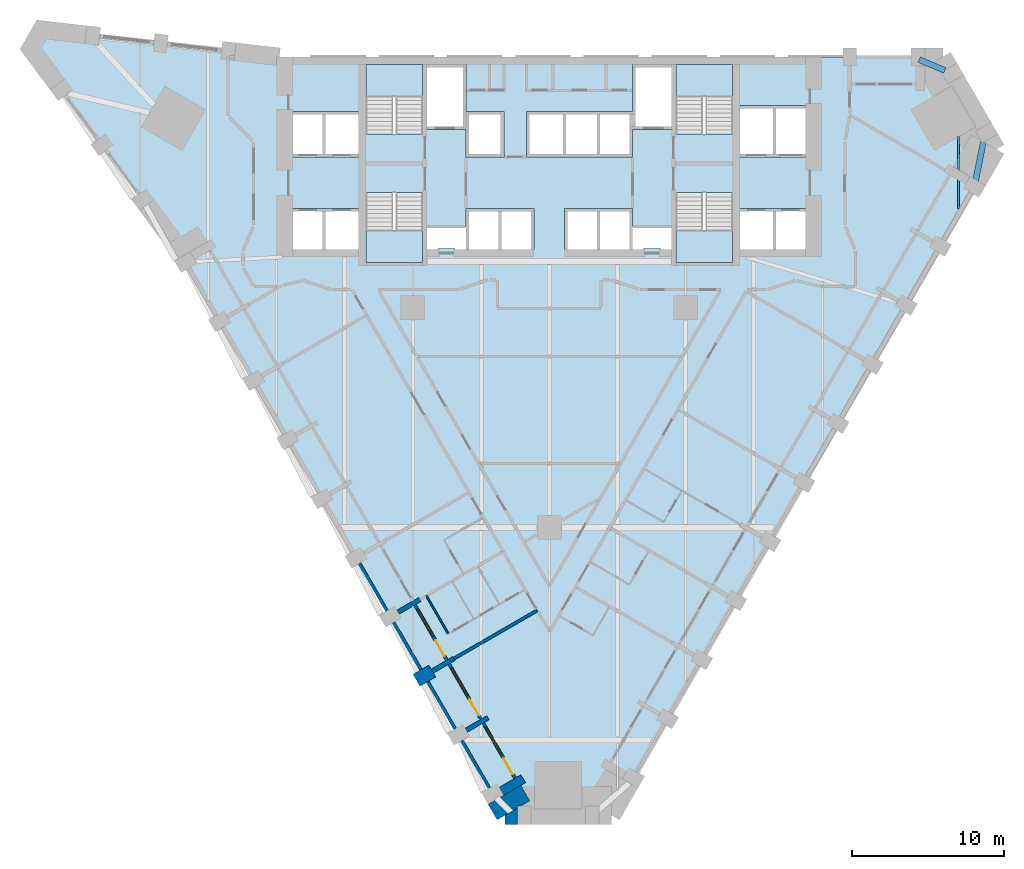
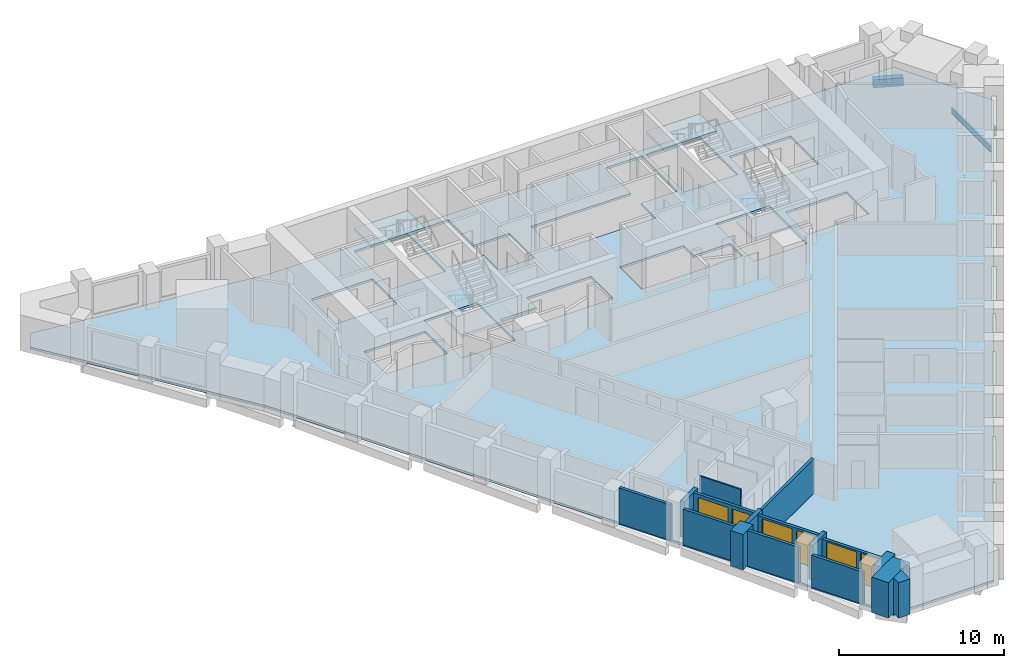
# One storey, part 2 of 10: 16 walls, 5 slabs, 3 beams, 3 doors, 3 windows, 6 openings, 4 elements without a shape of their own.
"""IFC4 building model written with IfcOpenShell, lengths in metres."""

from ifc_helpers import new_model, si_unit, direction, frame, frame_2d, origin, origin_2d, place, context, subcontext, project, spatial, polyline, rectangle, i_section, outline, extrude, material, layer, layer_set, material_profile, profile_set, type_object, element, fill, aggregate, save


model = new_model("IFC4")

# Units and contexts
model_context = context("Model", 3, precision=1e-05, world=origin(), true_north=direction((0.0, 1.0)))
body_context = subcontext(model_context, "Body", "Model", "MODEL_VIEW")
ifc_project = project(units=[si_unit("LENGTHUNIT", "METRE"), si_unit("AREAUNIT", "SQUARE_METRE"), si_unit("VOLUMEUNIT", "CUBIC_METRE"), si_unit("PLANEANGLEUNIT", "RADIAN"), si_unit("MASSUNIT", "GRAM", prefix="KILO")], contexts=[model_context])

# Site, building, storey
site_placement = place(None, origin())
site = spatial("IfcSite", under=ifc_project, at=site_placement, CompositionType="ELEMENT")
building_placement = place(site_placement, origin())
building = spatial("IfcBuilding", under=site, at=building_placement, Name="Calabash Gate Tower", CompositionType="ELEMENT")
storey_placement = place(building_placement, frame((0.0, 0.0, 69.800048828125)))
storey = spatial("IfcBuildingStorey", under=building, at=storey_placement, Name="L13", CompositionType="ELEMENT", Elevation=69.800048828125)

# Beams
ifc_material_1 = material(Name="Concrete C60/75", Category="concrete")
ifc_material_profile_1 = material_profile(ifc_material_1, rectangle(XDim=0.39990234375, YDim=0.60009765625, at=origin_2d()))
ifc_profile_set_1 = profile_set([ifc_material_profile_1], Name="Concrete C60/75")
beam_type_1 = type_object("IfcBeamType", Name="Edge beam RC 400x600 Concrete C60/75", PredefinedType="BEAM", material=ifc_profile_set_1)
beam_1_placement = place(storey_placement, frame((28.072021484375, 10.618896484375, -0.469970703125), z_axis=(0.197276022222, 0.980347984675, 0.0), x_axis=(-0.980347984675, 0.197276022222, 0.0)))
element("IfcBeam", 1, at=beam_1_placement, inside=storey, type_object=beam_type_1, Name="Edge beam L13 12", PredefinedType="BEAM", context=body_context, shape_type="SweptSolid", body=[
    extrude(rectangle(XDim=0.39990234375, YDim=0.60009765625, at=origin_2d()), origin(), (0.0, 0.0, 1.0), 2.87353515625),
])
beam_2_placement = place(storey_placement, frame((26.10205078125, 18.157958984375, -0.469970703125), z_axis=(-0.921349387406, 0.388735522337, 0.0), x_axis=(-0.388735522337, -0.921349387406, 0.0)))
element("IfcBeam", 2, at=beam_2_placement, inside=storey, type_object=beam_type_1, Name="Edge beam L13 13", PredefinedType="BEAM", context=body_context, shape_type="SweptSolid", body=[
    extrude(rectangle(XDim=0.39990234375, YDim=0.60009765625, at=origin_2d()), origin(), (0.0, 0.0, 1.0), 1.849609375),
])
ifc_material_2 = material(Name="Steel ASTM A992 Gr50", Category="steel")
ifc_material_profile_2 = material_profile(ifc_material_2, i_section(OverallWidth=0.1396484375, OverallDepth=0.398681640625, WebThickness=0.00634765625, FlangeThickness=0.0087890625, FilletRadius=0.01025390625, at=origin_2d()))
ifc_profile_set_2 = profile_set([ifc_material_profile_2], Name="Steel ASTM A992 Gr50")
beam_type_2 = type_object("IfcBeamType", Name="Floor beam W16x26 ASTM A992 Gr50", PredefinedType="BEAM", material=ifc_profile_set_2)
beam_3_placement = place(storey_placement, frame((27.0, 9.048095703125, -0.369140625), z_axis=(0.0, 1.0, 0.0), x_axis=(-1.0, 0.0, 0.0)))
element("IfcBeam", 3, at=beam_3_placement, inside=storey, type_object=beam_type_2, Name="Floor beam L13 23", PredefinedType="BEAM", context=body_context, shape_type="SweptSolid", body=[
    extrude(i_section(OverallWidth=0.1396484375, OverallDepth=0.398681640625, WebThickness=0.00634765625, FlangeThickness=0.0087890625, FilletRadius=0.01025390625, at=origin_2d()), origin(), (0.0, 0.0, 1.0), 4.744873046875),
])

# Slab
ifc_material_3 = material(Name="Concrete C40/50", Category="concrete")
ifc_layer_1 = layer(ifc_material_3, 0.169921875)
ifc_layer_set_1 = layer_set([ifc_layer_1], Name="Composite floor slab 170 Concrete C40/50")
slab_type_1 = type_object("IfcSlabType", Name="Composite floor slab 170 Concrete C40/50", PredefinedType="FLOOR", material=ifc_layer_set_1)
slab_1_placement = place(storey_placement, frame((0.0, 0.0, -0.170166015625)))
element("IfcSlab", 4, at=slab_1_placement, inside=storey, type_object=slab_type_1, Name="Floor slab L13", PredefinedType="FLOOR", context=body_context, shape_type="SweptSolid", body=[
    extrude(outline(polyline([(-24.806640625, 6.92822265625), (-34.19921875, 19.606201171875), (-33.482421875, 20.84765625), (-17.806640625, 19.052490234375), (25.96240234375, 19.052490234375), (29.481201171875, 12.957763671875), (4.115478515625, -30.97705078125), (-2.922119140625, -30.97705078125), (-24.806640625, 6.92822265625)]), holes=[polyline([(-5.5, 9.052490234375), (-5.5, 7.8525390625), (-8.050048828125, 7.8525390625), (-8.050048828125, 6.3525390625), (-7.324951171875, 6.3525390625), (-7.324951171875, 6.402587890625), (-6.22509765625, 6.402587890625), (-6.22509765625, 6.3525390625), (-5.5, 6.3525390625), (-3.25, 6.3525390625), (-1.0, 6.3525390625), (-1.0, 9.052490234375), (-3.25, 9.052490234375), (-5.5, 9.052490234375)]), polyline([(5.5, 9.052490234375), (3.25, 9.052490234375), (1.0, 9.052490234375), (1.0, 6.3525390625), (3.25, 6.3525390625), (5.5, 6.3525390625), (6.22509765625, 6.3525390625), (6.22509765625, 6.402587890625), (7.324951171875, 6.402587890625), (7.324951171875, 6.3525390625), (8.050048828125, 6.3525390625), (8.050048828125, 7.8525390625), (5.5, 7.8525390625), (5.5, 9.052490234375)]), polyline([(-5.5, 14.252685546875), (-5.5, 12.45263671875), (-3.0, 12.45263671875), (-3.0, 15.45263671875), (-5.5, 15.45263671875), (-5.5, 18.552490234375), (-8.050048828125, 18.552490234375), (-8.050048828125, 14.252685546875), (-5.5, 14.252685546875)]), polyline([(8.050048828125, 18.552490234375), (5.5, 18.552490234375), (5.5, 15.45263671875), (3.25, 15.45263671875), (1.0, 15.45263671875), (-1.5, 15.45263671875), (-1.5, 12.45263671875), (1.0, 12.45263671875), (3.25, 12.45263671875), (5.5, 12.45263671875), (5.5, 14.252685546875), (8.050048828125, 14.252685546875), (8.050048828125, 18.552490234375)]), polyline([(-12.60009765625, 6.3525390625), (-12.60009765625, 9.052490234375), (-14.85009765625, 9.052490234375), (-16.89990234375, 9.052490234375), (-16.89990234375, 6.3525390625), (-14.85009765625, 6.3525390625), (-12.60009765625, 6.3525390625)]), polyline([(-14.85009765625, 12.45263671875), (-12.60009765625, 12.45263671875), (-12.60009765625, 15.45263671875), (-14.85009765625, 15.45263671875), (-16.89990234375, 15.45263671875), (-16.89990234375, 12.45263671875), (-14.85009765625, 12.45263671875)]), polyline([(14.85009765625, 6.3525390625), (16.89990234375, 6.3525390625), (16.89990234375, 9.052490234375), (14.85009765625, 9.052490234375), (12.60009765625, 9.052490234375), (12.60009765625, 6.3525390625), (14.85009765625, 6.3525390625)]), polyline([(14.85009765625, 12.45263671875), (16.89990234375, 12.45263671875), (16.89990234375, 15.8525390625), (14.85009765625, 15.8525390625), (12.60009765625, 15.8525390625), (12.60009765625, 12.45263671875), (14.85009765625, 12.45263671875)]), polyline([(-8.35009765625, 18.552490234375), (-12.10009765625, 18.552490234375), (-12.10009765625, 13.95263671875), (-8.35009765625, 13.95263671875), (-8.35009765625, 18.552490234375)]), polyline([(-12.10009765625, 10.1025390625), (-12.10009765625, 5.502685546875), (-8.35009765625, 5.502685546875), (-8.35009765625, 10.1025390625), (-12.10009765625, 10.1025390625)]), polyline([(8.35009765625, 13.95263671875), (12.10009765625, 13.95263671875), (12.10009765625, 18.552490234375), (8.35009765625, 18.552490234375), (8.35009765625, 13.95263671875)]), polyline([(12.10009765625, 5.502685546875), (12.10009765625, 10.1025390625), (8.35009765625, 10.1025390625), (8.35009765625, 5.502685546875), (12.10009765625, 5.502685546875)])]), origin(), (0.0, 0.0, 1.0), 0.170166015625),
])

# Stair, slab
ifc_material_4 = material(Name="Concrete C40/50", Category="concrete")
stair_type = type_object("IfcStairType", Name="Exit stair 20 risers of 170 mm", PredefinedType="HALF_TURN_STAIR", material=ifc_material_4)
stair_1_placement = place(storey_placement, origin())
stair_1 = element("IfcStair", 5, at=stair_1_placement, inside=storey, type_object=stair_type, Name="L13 Exit stair ST1", PredefinedType="HALF_TURN_STAIR")
ifc_material_5 = material(Name="Concrete C40/50", Category="concrete")
ifc_layer_2 = layer(ifc_material_5, 0.199951171875)
ifc_layer_set_2 = layer_set([ifc_layer_2], Name="Stair landing SL200")
slab_type_2 = type_object("IfcSlabType", Name="Stair landing SL200", PredefinedType="LANDING", material=ifc_layer_set_2)
slab_2_placement = place(storey_placement, frame((0.0, 0.0, 1.5)))
slab_2 = element("IfcSlab", 6, at=slab_2_placement, type_object=slab_type_2, Name="ST1 landing 1", PredefinedType="LANDING", context=body_context, shape_type="SweptSolid", body=[
    extrude(outline(polyline([(-8.35009765625, 16.463623046875), (-8.35009765625, 18.552490234375), (-12.10009765625, 18.552490234375), (-12.10009765625, 16.463623046875), (-8.35009765625, 16.463623046875)])), origin(), (0.0, 0.0, 1.0), 0.199951171875),
])
aggregate(stair_1, [slab_2])

stair_2_placement = place(storey_placement, origin())
stair_2 = element("IfcStair", 7, at=stair_2_placement, inside=storey, type_object=stair_type, Name="L13 Exit stair ST2", PredefinedType="HALF_TURN_STAIR")
slab_3_placement = place(storey_placement, frame((0.0, 0.0, 1.5)))
slab_3 = element("IfcSlab", 8, at=slab_3_placement, type_object=slab_type_2, Name="ST2 landing 1", PredefinedType="LANDING", context=body_context, shape_type="SweptSolid", body=[
    extrude(outline(polyline([(-12.10009765625, 7.591552734375), (-12.10009765625, 5.502685546875), (-8.35009765625, 5.502685546875), (-8.35009765625, 7.591552734375), (-12.10009765625, 7.591552734375)])), origin(), (0.0, 0.0, 1.0), 0.199951171875),
])
aggregate(stair_2, [slab_3])

stair_3_placement = place(storey_placement, origin())
stair_3 = element("IfcStair", 9, at=stair_3_placement, inside=storey, type_object=stair_type, Name="L13 Exit stair ST3", PredefinedType="HALF_TURN_STAIR")
slab_4_placement = place(storey_placement, frame((0.0, 0.0, 1.5)))
slab_4 = element("IfcSlab", 10, at=slab_4_placement, type_object=slab_type_2, Name="ST3 landing 1", PredefinedType="LANDING", context=body_context, shape_type="SweptSolid", body=[
    extrude(outline(polyline([(12.10009765625, 16.463623046875), (12.10009765625, 18.552490234375), (8.35009765625, 18.552490234375), (8.35009765625, 16.463623046875), (12.10009765625, 16.463623046875)])), origin(), (0.0, 0.0, 1.0), 0.199951171875),
])
aggregate(stair_3, [slab_4])

stair_4_placement = place(storey_placement, origin())
stair_4 = element("IfcStair", 11, at=stair_4_placement, inside=storey, type_object=stair_type, Name="L13 Exit stair ST4", PredefinedType="HALF_TURN_STAIR")
slab_5_placement = place(storey_placement, frame((0.0, 0.0, 1.5)))
slab_5 = element("IfcSlab", 12, at=slab_5_placement, type_object=slab_type_2, Name="ST4 landing 1", PredefinedType="LANDING", context=body_context, shape_type="SweptSolid", body=[
    extrude(outline(polyline([(8.35009765625, 7.591552734375), (8.35009765625, 5.502685546875), (12.10009765625, 5.502685546875), (12.10009765625, 7.591552734375), (8.35009765625, 7.591552734375)])), origin(), (0.0, 0.0, 1.0), 0.199951171875),
])
aggregate(stair_4, [slab_5])

# Walls
ifc_material_6 = material(Name="Terracotta brick masonry, exposed face", Category="masonry")
ifc_layer_3 = layer(ifc_material_6, 2.5)
ifc_layer_set_3 = layer_set([ifc_layer_3], Name="Brick corner mass wall 2500")
wall_type_1 = type_object("IfcWallType", Name="Brick corner mass wall 2500", PredefinedType="SOLIDWALL", material=ifc_layer_set_3)
wall_1_placement = place(storey_placement, origin())
element("IfcWall", 13, at=wall_1_placement, inside=storey, type_object=wall_type_1, Name="Brick corner pier S03 2a", PredefinedType="SOLIDWALL", context=body_context, shape_type="SweptSolid", body=[
    extrude(outline(polyline([(-1.276611328125, -30.027099609375), (-1.868896484375, -29.001220703125), (-4.033935546875, -30.251220703125), (-3.441650390625, -31.277099609375), (-2.10302734375, -30.504150390625), (-2.10302734375, -30.376953125), (-1.8828125, -30.376953125), (-1.276611328125, -30.027099609375)])), origin(), (0.0, 0.0, 1.0), 2.6298828125),
])
wall_2_placement = place(storey_placement, origin())
element("IfcWall", 14, at=wall_2_placement, inside=storey, type_object=wall_type_1, Name="Brick corner pier S03 2ba", PredefinedType="SOLIDWALL", context=body_context, shape_type="SweptSolid", body=[
    extrude(outline(polyline([(-2.922119140625, -30.97705078125), (-2.922119140625, -31.576904296875), (-2.10302734375, -31.576904296875), (-2.10302734375, -30.504150390625), (-2.922119140625, -30.97705078125)])), origin(), (0.0, 0.0, 1.0), 2.6298828125),
])
ifc_material_7 = material(Name="Terracotta brick masonry, exposed face", Category="masonry")
ifc_layer_4 = layer(ifc_material_7, 1.199951171875)
ifc_layer_set_4 = layer_set([ifc_layer_4], Name="Brick end wall 1200")
wall_type_2 = type_object("IfcWallType", Name="Brick end wall 1200", PredefinedType="SOLIDWALL", material=ifc_layer_set_4)
wall_3_placement = place(storey_placement, frame((-8.759033203125, -22.067138671875, 0.0), z_axis=(0.0, 0.0, 1.0), x_axis=(0.866094119867, 0.499880961361, 0.0)))
element("IfcWall", 15, at=wall_3_placement, inside=storey, type_object=wall_type_2, Name="Brick pier S03 SW0.7", PredefinedType="SOLIDWALL", context=body_context, shape_type="SweptSolid", body=[
    extrude(rectangle(XDim=1.199951171875, YDim=0.89990234375, at=frame_2d((0.60009765625, 0.0))), origin(), (0.0, 0.0, 1.0), 2.6298828125),
])
ifc_material_8 = material(Name="Terracotta brick masonry, exposed face", Category="masonry")
ifc_layer_5 = layer(ifc_material_8, 0.300048828125)
ifc_layer_set_5 = layer_set([ifc_layer_5], Name="Brick loggia cheek wall 300")
wall_type_3 = type_object("IfcWallType", Name="Brick loggia cheek wall 300", PredefinedType="SOLIDWALL", material=ifc_layer_set_5)
wall_4_placement = place(storey_placement, frame((-8.540771484375, -16.7451171875, 0.0), z_axis=(0.0, 0.0, 1.0), x_axis=(-0.866067297121, -0.499927431592, 0.0)))
element("IfcWall", 16, at=wall_4_placement, inside=storey, type_object=wall_type_3, Name="Loggia cheek S03 SW0.6", PredefinedType="SOLIDWALL", context=body_context, shape_type="SweptSolid", body=[
    extrude(rectangle(XDim=1.649658203125, YDim=0.300048828125, at=frame_2d((0.82470703125, 0.0))), origin(), (0.0, 0.0, 1.0), 2.64990234375),
])
wall_5_placement = place(storey_placement, frame((-7.7197265625, -21.46728515625, 0.0), z_axis=(0.0, 0.0, 1.0), x_axis=(0.865976140824, 0.500085316245, 0.0)))
element("IfcWall", 17, at=wall_5_placement, inside=storey, type_object=wall_type_3, Name="Loggia cheek S03 SW0.7", PredefinedType="SOLIDWALL", context=body_context, shape_type="SweptSolid", body=[
    extrude(rectangle(XDim=1.650146484375, YDim=0.300048828125, at=frame_2d((0.8251953125, 0.0))), origin(), (0.0, 0.0, 1.0), 2.64990234375),
])
wall_6_placement = place(storey_placement, frame((-5.46923828125, -25.364013671875, 0.0), z_axis=(0.0, 0.0, 1.0), x_axis=(0.866030301974, 0.499991515992, 0.0)))
element("IfcWall", 18, at=wall_6_placement, inside=storey, type_object=wall_type_3, Name="Loggia cheek S03 SW0.8", PredefinedType="SOLIDWALL", context=body_context, shape_type="SweptSolid", body=[
    extrude(rectangle(XDim=1.6494140625, YDim=0.300048828125, at=frame_2d((0.82470703125, 0.0))), origin(), (0.0, 0.0, 1.0), 2.5517578125),
])
wall_7_placement = place(storey_placement, frame((-3.144775390625, -29.391357421875, 0.0), z_axis=(0.0, 0.0, 1.0), x_axis=(0.866040211805, 0.499974350878, 0.0)))
element("IfcWall", 19, at=wall_7_placement, inside=storey, type_object=wall_type_3, Name="Loggia cheek S03 SW0.9", PredefinedType="SOLIDWALL", context=body_context, shape_type="SweptSolid", body=[
    extrude(rectangle(XDim=1.64990234375, YDim=0.60009765625, at=frame_2d((0.824951171875, 0.0))), origin(), (0.0, 0.0, 1.0), 2.6298828125),
])
ifc_material_9 = material(Name="Gypsum board on steel studs, mineral wool", Category="steel")
ifc_layer_6 = layer(ifc_material_9, 0.10009765625)
ifc_layer_set_6 = layer_set([ifc_layer_6], Name="Partition 100 gypsum board")
wall_type_4 = type_object("IfcWallType", Name="Partition 100 gypsum board", PredefinedType="PARTITIONING", material=ifc_layer_set_6)
wall_8_placement = place(storey_placement, frame((-8.107666015625, -16.4951171875, 0.0), z_axis=(0.0, 0.0, 1.0), x_axis=(0.499969479948, -0.866043023828, 0.0)))
element("IfcWall", 20, at=wall_8_placement, inside=storey, type_object=wall_type_4, Name="Partition", PredefinedType="PARTITIONING", context=body_context, shape_type="SweptSolid", body=[
    extrude(rectangle(XDim=2.851806640625, YDim=0.10009765625, at=frame_2d((1.42578125, 0.0))), origin(), (0.0, 0.0, 1.0), 3.22998046875),
])
ifc_material_10 = material(Name="Gypsum board on steel studs, mineral wool", Category="steel")
ifc_layer_7 = layer(ifc_material_10, 0.199951171875)
ifc_layer_set_7 = layer_set([ifc_layer_7], Name="Partition 200 gypsum board EI 60")
wall_type_5 = type_object("IfcWallType", Name="Partition 200 gypsum board EI 60", PredefinedType="PARTITIONING", material=ifc_layer_set_7)
wall_9_placement = place(storey_placement, frame((-6.291015625, -20.64208984375, 0.0), z_axis=(0.0, 0.0, 1.0), x_axis=(0.86590949515, 0.500200705926, 0.0)))
element("IfcWall", 21, at=wall_9_placement, inside=storey, type_object=wall_type_5, Name="Partition", PredefinedType="PARTITIONING", context=body_context, shape_type="SweptSolid", body=[
    extrude(rectangle(XDim=6.34814453125, YDim=0.199951171875, at=frame_2d((3.174072265625, 0.0))), origin(), (0.0, 0.0, 1.0), 2.5517578125),
])
ifc_material_11 = material(Name="Terracotta brick masonry, perforated", Category="masonry")
ifc_layer_8 = layer(ifc_material_11, 0.199951171875)
ifc_layer_set_8 = layer_set([ifc_layer_8], Name="Terracotta jaali screen A")
wall_type_6 = type_object("IfcWallType", Name="Terracotta jaali screen A", PredefinedType="SOLIDWALL", material=ifc_layer_set_8)
wall_10_placement = place(storey_placement, frame((-12.514404296875, -14.362548828125, 0.0), z_axis=(0.0, 0.0, 1.0), x_axis=(0.499982693035, -0.866035395735, 0.0)))
element("IfcWall", 22, at=wall_10_placement, inside=storey, type_object=wall_type_6, Name="SCREEN A S03 SW0.6", PredefinedType="SOLIDWALL", context=body_context, shape_type="SweptSolid", body=[
    extrude(rectangle(XDim=3.600341796875, YDim=0.199951171875, at=frame_2d((1.80029296875, 0.0))), origin(), (0.0, 0.0, 1.0), 2.6298828125),
])
for number, where, z_axis, x_axis, name in (
    (23, (-10.264404296875, -18.259765625, 0.0), (0.0, 0.0, 1.0), (0.500012057535, -0.866018442252, 0.0), "SCREEN A S03 SW0.7"),
    (24, (-8.014404296875, -22.156982421875, 0.0), (0.0, 0.0, 1.0), (0.500012057535, -0.866018442252, 0.0), "SCREEN A S03 SW0.8"),
):
    element("IfcWall", number, at=place(storey_placement, frame(where, z_axis=z_axis, x_axis=x_axis)), inside=storey, type_object=wall_type_6, Name=name, PredefinedType="SOLIDWALL", context=body_context, shape_type="SweptSolid", body=[
        extrude(rectangle(XDim=3.60009765625, YDim=0.199951171875, at=frame_2d((1.800048828125, 0.0))), origin(), (0.0, 0.0, 1.0), 2.6298828125),
    ])
wall_11_placement = place(storey_placement, frame((-5.764404296875, -26.053955078125, 0.0), z_axis=(0.0, 0.0, 1.0), x_axis=(0.500012057535, -0.866018442252, 0.0)))
element("IfcWall", 25, at=wall_11_placement, inside=storey, type_object=wall_type_6, Name="SCREEN A S03 SW0.9", PredefinedType="SOLIDWALL", context=body_context, shape_type="SweptSolid", body=[
    extrude(rectangle(XDim=3.60009765625, YDim=0.199951171875, at=frame_2d((1.800048828125, 0.0))), origin(), (0.0, 0.0, 1.0), 2.3740234375),
])

# Wall, openings, door, window
ifc_material_12 = material(Name="Aluminium framed window wall with insulated spandrel", Category="aluminium")
ifc_layer_9 = layer(ifc_material_12, 0.199951171875)
ifc_layer_set_9 = layer_set([ifc_layer_9], Name="Window wall 200")
wall_type_7 = type_object("IfcWallType", Name="Window wall 200", PredefinedType="ELEMENTEDWALL", material=ifc_layer_set_9)
wall_12_placement = place(storey_placement, frame((-8.85546875, -17.10009765625, 0.0), z_axis=(0.0, 0.0, 1.0), x_axis=(0.49998411664, -0.866034573852, 0.0)))
wall_12 = element("IfcWall", 26, at=wall_12_placement, inside=storey, type_object=wall_type_7, Name="Window wall S03 SW0.7", PredefinedType="ELEMENTEDWALL", context=body_context, shape_type="SweptSolid", body=[
    extrude(rectangle(XDim=4.199951171875, YDim=0.199951171875, at=frame_2d((2.10009765625, 0.0))), origin(), (0.0, 0.0, 1.0), 2.64990234375),
])
opening_1_placement = place(wall_12_placement, frame((0.300048828125, 0.0, 0.60009765625)))
opening_1 = element("IfcOpeningElement", 27, at=opening_1_placement, cuts=wall_12, Name="Opening HW1", PredefinedType="OPENING", context=body_context, shape_type="SweptSolid", body=[
    extrude(rectangle(XDim=2.10009765625, YDim=1.800048828125, at=frame_2d((1.050048828125, 0.89990234375))), frame((0.0, 0.10986328125, 0.0), z_axis=(0.0, -1.0, 0.0), x_axis=(1.0, 0.0, 0.0)), (0.0, 0.0, 1.0), 0.219970703125),
])
opening_2_placement = place(wall_12_placement, frame((2.699951171875, 0.0, 0.0)))
opening_2 = element("IfcOpeningElement", 28, at=opening_2_placement, cuts=wall_12, Name="Opening H3-026", PredefinedType="OPENING", context=body_context, shape_type="SweptSolid", body=[
    extrude(rectangle(XDim=1.199951171875, YDim=2.39990234375, at=frame_2d((0.60009765625, 1.199951171875))), frame((0.0, 0.10986328125, 0.0), z_axis=(0.0, -1.0, 0.0), x_axis=(1.0, 0.0, 0.0)), (0.0, 0.0, 1.0), 0.219970703125),
])
ifc_material_13 = material(Name="Anodised aluminium frame, bronze finish, impact-rated laminated clear glazing", Category="aluminium")
door_type_1 = type_object("IfcDoorType", Name="Loggia door DH1 1200x2400", OperationType="SLIDING_TO_LEFT", PredefinedType="DOOR", material=ifc_material_13)
door_1_placement = place(opening_2_placement, origin())
door_1 = element("IfcDoor", 29, at=door_1_placement, inside=storey, type_object=door_type_1, Name="Loggia door S03 SW0.7", OperationType="SINGLE_SWING_LEFT", OverallHeight=2.39990234375, OverallWidth=1.199951171875, PredefinedType="DOOR", context=body_context, shape_type="SweptSolid", body=[
    extrude(rectangle(XDim=1.199951171875, YDim=2.39990234375, at=frame_2d((0.60009765625, 1.199951171875))), frame((0.0, 0.02490234375, 0.0), z_axis=(0.0, -1.0, 0.0), x_axis=(1.0, 0.0, 0.0)), (0.0, 0.0, 1.0), 0.050048828125),
])
fill(opening_2, door_1)
ifc_material_14 = material(Name="Anodised aluminium frame, bronze finish, impact-rated laminated clear glazing", Category="aluminium")
window_type_1 = type_object("IfcWindowType", Name="Window HW1 2100x1800", PartitioningType="DOUBLE_PANEL_VERTICAL", PredefinedType="WINDOW", material=ifc_material_14)
window_1_placement = place(opening_1_placement, origin())
window_1 = element("IfcWindow", 30, at=window_1_placement, inside=storey, type_object=window_type_1, Name="Window HW1 S03 SW0.7", OverallHeight=1.800048828125, OverallWidth=2.10009765625, PartitioningType="SINGLE_PANEL", PredefinedType="WINDOW", context=body_context, shape_type="SweptSolid", body=[
    extrude(rectangle(XDim=2.10009765625, YDim=1.800048828125, at=frame_2d((1.050048828125, 0.89990234375))), frame((0.0, 0.030029296875, 0.0), z_axis=(0.0, -1.0, 0.0), x_axis=(1.0, 0.0, 0.0)), (0.0, 0.0, 1.0), 0.06005859375),
])
fill(opening_1, window_1)

wall_13_placement = place(storey_placement, frame((-6.60546875, -20.9970703125, 0.0), z_axis=(0.0, 0.0, 1.0), x_axis=(0.49998411664, -0.866034573852, 0.0)))
wall_13 = element("IfcWall", 31, at=wall_13_placement, inside=storey, type_object=wall_type_7, Name="Window wall S03 SW0.8", PredefinedType="ELEMENTEDWALL", context=body_context, shape_type="SweptSolid", body=[
    extrude(rectangle(XDim=4.199951171875, YDim=0.199951171875, at=frame_2d((2.10009765625, 0.0))), origin(), (0.0, 0.0, 1.0), 2.5517578125),
])
opening_3_placement = place(wall_13_placement, frame((0.300048828125, 0.0, 0.60009765625)))
opening_3 = element("IfcOpeningElement", 32, at=opening_3_placement, cuts=wall_13, Name="Opening HW1", PredefinedType="OPENING", context=body_context, shape_type="SweptSolid", body=[
    extrude(rectangle(XDim=2.10009765625, YDim=1.800048828125, at=frame_2d((1.050048828125, 0.89990234375))), frame((0.0, 0.10986328125, 0.0), z_axis=(0.0, -1.0, 0.0), x_axis=(1.0, 0.0, 0.0)), (0.0, 0.0, 1.0), 0.219970703125),
])
opening_4_placement = place(wall_13_placement, frame((2.699951171875, 0.0, 0.0)))
opening_4 = element("IfcOpeningElement", 33, at=opening_4_placement, cuts=wall_13, Name="Opening H3-027", PredefinedType="OPENING", context=body_context, shape_type="SweptSolid", body=[
    extrude(rectangle(XDim=1.199951171875, YDim=2.39990234375, at=frame_2d((0.60009765625, 1.199951171875))), frame((0.0, 0.10986328125, 0.0), z_axis=(0.0, -1.0, 0.0), x_axis=(1.0, 0.0, 0.0)), (0.0, 0.0, 1.0), 0.219970703125),
])
door_2_placement = place(opening_4_placement, origin())
door_2 = element("IfcDoor", 34, at=door_2_placement, inside=storey, type_object=door_type_1, Name="Loggia door S03 SW0.8", OperationType="SINGLE_SWING_LEFT", OverallHeight=2.39990234375, OverallWidth=1.199951171875, PredefinedType="DOOR", context=body_context, shape_type="SweptSolid", body=[
    extrude(rectangle(XDim=1.199951171875, YDim=2.39990234375, at=frame_2d((0.60009765625, 1.199951171875))), frame((0.0, 0.02490234375, 0.0), z_axis=(0.0, -1.0, 0.0), x_axis=(1.0, 0.0, 0.0)), (0.0, 0.0, 1.0), 0.050048828125),
])
fill(opening_4, door_2)
window_2_placement = place(opening_3_placement, origin())
window_2 = element("IfcWindow", 35, at=window_2_placement, inside=storey, type_object=window_type_1, Name="Window HW1 S03 SW0.8", OverallHeight=1.800048828125, OverallWidth=2.10009765625, PartitioningType="SINGLE_PANEL", PredefinedType="WINDOW", context=body_context, shape_type="SweptSolid", body=[
    extrude(rectangle(XDim=2.10009765625, YDim=1.800048828125, at=frame_2d((1.050048828125, 0.89990234375))), frame((0.0, 0.030029296875, 0.0), z_axis=(0.0, -1.0, 0.0), x_axis=(1.0, 0.0, 0.0)), (0.0, 0.0, 1.0), 0.06005859375),
])
fill(opening_3, window_2)

wall_14_placement = place(storey_placement, frame((-4.35546875, -24.894287109375, 0.0), z_axis=(0.0, 0.0, 1.0), x_axis=(0.49998411664, -0.866034573852, 0.0)))
wall_14 = element("IfcWall", 36, at=wall_14_placement, inside=storey, type_object=wall_type_7, Name="Window wall S03 SW0.9", PredefinedType="ELEMENTEDWALL", context=body_context, shape_type="SweptSolid", body=[
    extrude(rectangle(XDim=4.199951171875, YDim=0.199951171875, at=frame_2d((2.10009765625, 0.0))), origin(), (0.0, 0.0, 1.0), 2.3740234375),
])
opening_5_placement = place(wall_14_placement, frame((0.300048828125, 0.0, 0.60009765625)))
opening_5 = element("IfcOpeningElement", 37, at=opening_5_placement, cuts=wall_14, Name="Opening HW1L-1670", PredefinedType="OPENING", context=body_context, shape_type="SweptSolid", body=[
    extrude(rectangle(XDim=2.10009765625, YDim=1.669921875, at=frame_2d((1.050048828125, 0.8349609375))), frame((0.0, 0.10986328125, 0.0), z_axis=(0.0, -1.0, 0.0), x_axis=(1.0, 0.0, 0.0)), (0.0, 0.0, 1.0), 0.219970703125),
])
opening_6_placement = place(wall_14_placement, frame((2.699951171875, 0.0, 0.0)))
opening_6 = element("IfcOpeningElement", 38, at=opening_6_placement, cuts=wall_14, Name="Opening H3-028", PredefinedType="OPENING", context=body_context, shape_type="SweptSolid", body=[
    extrude(rectangle(XDim=1.199951171875, YDim=2.27001953125, at=frame_2d((0.60009765625, 1.135009765625))), frame((0.0, 0.10986328125, 0.0), z_axis=(0.0, -1.0, 0.0), x_axis=(1.0, 0.0, 0.0)), (0.0, 0.0, 1.0), 0.219970703125),
])
ifc_material_15 = material(Name="Anodised aluminium frame, bronze finish, impact-rated laminated clear glazing", Category="aluminium")
door_type_2 = type_object("IfcDoorType", Name="Loggia door DH1L-2270 1200x2270", OperationType="SLIDING_TO_LEFT", PredefinedType="DOOR", material=ifc_material_15)
door_3_placement = place(opening_6_placement, origin())
door_3 = element("IfcDoor", 39, at=door_3_placement, inside=storey, type_object=door_type_2, Name="Loggia door S03 SW0.9", OperationType="SINGLE_SWING_LEFT", OverallHeight=2.27001953125, OverallWidth=1.199951171875, PredefinedType="DOOR", context=body_context, shape_type="SweptSolid", body=[
    extrude(rectangle(XDim=1.199951171875, YDim=2.27001953125, at=frame_2d((0.60009765625, 1.135009765625))), frame((0.0, 0.02490234375, 0.0), z_axis=(0.0, -1.0, 0.0), x_axis=(1.0, 0.0, 0.0)), (0.0, 0.0, 1.0), 0.050048828125),
])
fill(opening_6, door_3)
ifc_material_16 = material(Name="Anodised aluminium frame, bronze finish, impact-rated laminated clear glazing", Category="aluminium")
window_type_2 = type_object("IfcWindowType", Name="Window HW1L 2100x1670", PartitioningType="DOUBLE_PANEL_VERTICAL", PredefinedType="WINDOW", material=ifc_material_16)
window_3_placement = place(opening_5_placement, origin())
window_3 = element("IfcWindow", 40, at=window_3_placement, inside=storey, type_object=window_type_2, Name="Window HW1 S03 SW0.9", OverallHeight=1.669921875, OverallWidth=2.10009765625, PartitioningType="SINGLE_PANEL", PredefinedType="WINDOW", context=body_context, shape_type="SweptSolid", body=[
    extrude(rectangle(XDim=2.10009765625, YDim=1.669921875, at=frame_2d((1.050048828125, 0.8349609375))), frame((0.0, 0.030029296875, 0.0), z_axis=(0.0, -1.0, 0.0), x_axis=(1.0, 0.0, 0.0)), (0.0, 0.0, 1.0), 0.06005859375),
])
fill(opening_5, window_3)

save(model, "model.ifc")
